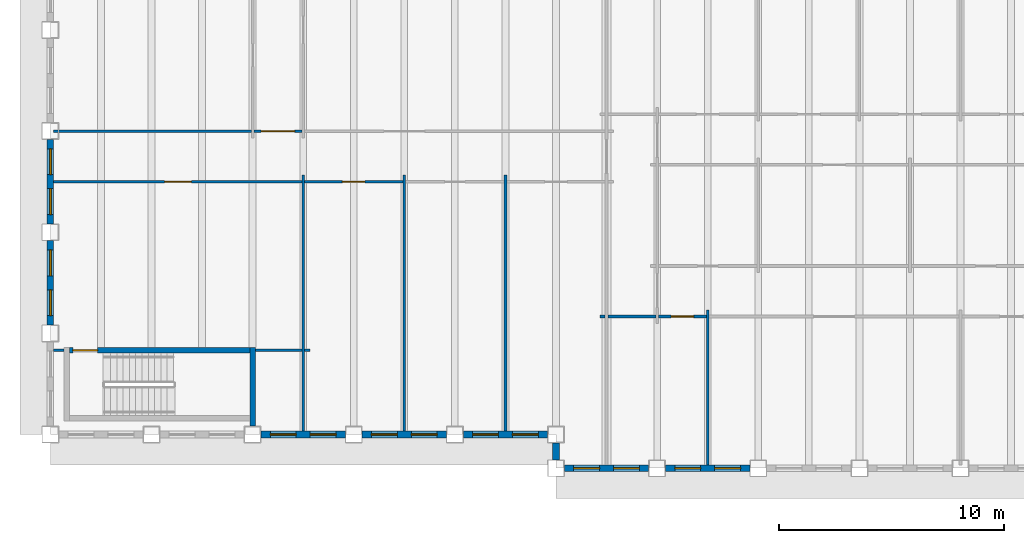
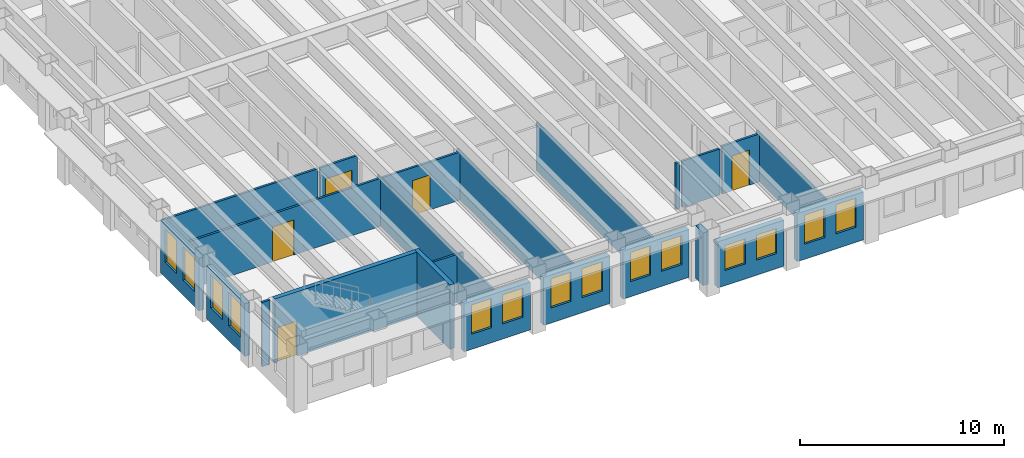
# One storey, part 3 of 16: 24 walls, 14 windows, 5 doors, 19 openings.
"""IFC4 building model written with IfcOpenShell, lengths in metres."""

from ifc_helpers import new_model, si_unit, direction, frame, frame_2d, origin, place, context, subcontext, project, spatial, rectangle, extrude, material, layer, layer_set, type_object, element, fill, save


model = new_model("IFC4")

# Units and contexts
model_context = context("Model", 3, precision=1e-05, world=origin(), true_north=direction((0.0, 1.0)))
body_context = subcontext(model_context, "Body", "Model", "MODEL_VIEW")
ifc_project = project(units=[si_unit("LENGTHUNIT", "METRE"), si_unit("AREAUNIT", "SQUARE_METRE"), si_unit("VOLUMEUNIT", "CUBIC_METRE"), si_unit("PLANEANGLEUNIT", "RADIAN"), si_unit("MASSUNIT", "GRAM", prefix="KILO")], contexts=[model_context])

# Site, building, storey
site_placement = place(None, origin())
site = spatial("IfcSite", under=ifc_project, at=site_placement, CompositionType="ELEMENT")
building_placement = place(site_placement, origin())
building = spatial("IfcBuilding", under=site, at=building_placement, Name="Sennacour Bend Tower", CompositionType="ELEMENT")
storey_placement = place(building_placement, frame((0.0, 0.0, 235.0)))
storey = spatial("IfcBuildingStorey", under=building, at=storey_placement, Name="L54", CompositionType="ELEMENT", Elevation=235.0)

# Walls
ifc_material_1 = material(Name="Plasterboard partition on steel studs", Category="steel")
ifc_layer_1 = layer(ifc_material_1, 0.1201171875, Name="Plasterboard partition on steel studs", Category="steel")
ifc_layer_set_1 = layer_set([ifc_layer_1], Name="Plasterboard partition on steel studs")
wall_type_1 = type_object("IfcWallType", Name="Partition 120", PredefinedType="PARTITIONING", material=ifc_layer_set_1)
for number, where, z_axis, x_axis, name in (
    (1, (11.25, 0.14990234375, 0.0), (0.0, 0.0, 1.0), (0.0, 1.0, 0.0), "P-L54-W012a"),
    (2, (15.75, 0.14990234375, 0.0), (0.0, 0.0, 1.0), (0.0, 1.0, 0.0), "P-L54-W017a"),
    (3, (20.25, 0.14990234375, 0.0), (0.0, 0.0, 1.0), (0.0, 1.0, 0.0), "P-L54-W021a"),
):
    element("IfcWall", number, at=place(storey_placement, frame(where, z_axis=z_axis, x_axis=x_axis)), inside=storey, type_object=wall_type_1, Name=name, PredefinedType="PARTITIONING", context=body_context, shape_type="SweptSolid", body=[
        extrude(rectangle(XDim=11.400146484375, YDim=0.1201171875, at=frame_2d((5.7001953125, 0.0))), origin(), (0.0, 0.0, 1.0), 2.8701171875),
    ])
wall_1_placement = place(storey_placement, frame((29.25, -1.35009765625, 0.0), z_axis=(0.0, 0.0, 1.0), x_axis=(0.0, 1.0, 0.0)))
element("IfcWall", 4, at=wall_1_placement, inside=storey, type_object=wall_type_1, Name="P-L54-W025a", PredefinedType="PARTITIONING", context=body_context, shape_type="SweptSolid", body=[
    extrude(rectangle(XDim=6.900146484375, YDim=0.1201171875, at=frame_2d((3.4501953125, 0.0))), origin(), (0.0, 0.0, 1.0), 2.8701171875),
])
wall_2_placement = place(storey_placement, frame((0.14990234375, 3.75, 0.0), z_axis=(0.0, 0.0, 1.0), x_axis=(1.0, 0.0, 0.0)))
element("IfcWall", 5, at=wall_2_placement, inside=storey, type_object=wall_type_1, Name="P-L54-W051a", PredefinedType="PARTITIONING", context=body_context, shape_type="SweptSolid", body=[
    extrude(rectangle(XDim=0.4501953125, YDim=0.1201171875, at=frame_2d((0.22509765625, 0.0))), origin(), (0.0, 0.0, 1.0), 3.85009765625),
])
wall_3_placement = place(storey_placement, frame((9.125, 3.75, 0.0), z_axis=(0.0, 0.0, 1.0), x_axis=(1.0, 0.0, 0.0)))
element("IfcWall", 6, at=wall_3_placement, inside=storey, type_object=wall_type_1, Name="P-L54-W053aa", PredefinedType="PARTITIONING", context=body_context, shape_type="SweptSolid", body=[
    extrude(rectangle(XDim=2.06494140625, YDim=0.1201171875, at=frame_2d((1.032470703125, 0.0))), origin(), (0.0, 0.0, 1.0), 2.8701171875),
])
wall_4_placement = place(storey_placement, frame((11.31005859375, 3.75, 0.0), z_axis=(0.0, 0.0, 1.0), x_axis=(1.0, 0.0, 0.0)))
element("IfcWall", 7, at=wall_4_placement, inside=storey, type_object=wall_type_1, Name="P-L54-W053ab", PredefinedType="PARTITIONING", context=body_context, shape_type="SweptSolid", body=[
    extrude(rectangle(XDim=0.239990234375, YDim=0.1201171875, at=frame_2d((0.1201171875, 0.0))), origin(), (0.0, 0.0, 1.0), 2.8701171875),
])
wall_5_placement = place(storey_placement, frame((24.449951171875, 5.25, 0.0), z_axis=(0.0, 0.0, 1.0), x_axis=(1.0, 0.0, 0.0)))
element("IfcWall", 8, at=wall_5_placement, inside=storey, type_object=wall_type_1, Name="P-L54-W056aa", PredefinedType="PARTITIONING", context=body_context, shape_type="SweptSolid", body=[
    extrude(rectangle(XDim=0.239990234375, YDim=0.1201171875, at=frame_2d((0.1201171875, 0.0))), origin(), (0.0, 0.0, 1.0), 2.760009765625),
])
wall_6_placement = place(storey_placement, frame((24.81005859375, 5.25, 0.0), z_axis=(0.0, 0.0, 1.0), x_axis=(1.0, 0.0, 0.0)))
element("IfcWall", 9, at=wall_6_placement, inside=storey, type_object=wall_type_1, Name="P-L54-W056ab", PredefinedType="PARTITIONING", context=body_context, shape_type="SweptSolid", body=[
    extrude(rectangle(XDim=2.1298828125, YDim=0.1201171875, at=frame_2d((1.06494140625, 0.0))), origin(), (0.0, 0.0, 1.0), 2.760009765625),
])

# Wall, opening, door
wall_7_placement = place(storey_placement, frame((27.06005859375, 5.25, 0.0), z_axis=(0.0, 0.0, 1.0), x_axis=(1.0, 0.0, 0.0)))
wall_7 = element("IfcWall", 10, at=wall_7_placement, inside=storey, type_object=wall_type_1, Name="P-L54-W056ac", PredefinedType="PARTITIONING", context=body_context, shape_type="SweptSolid", body=[
    extrude(rectangle(XDim=2.1298828125, YDim=0.1201171875, at=frame_2d((1.06494140625, 0.0))), origin(), (0.0, 0.0, 1.0), 2.8701171875),
])
opening_1_placement = place(wall_7_placement, frame((0.56494140625, 0.0, 0.0)))
opening_1 = element("IfcOpeningElement", 11, at=opening_1_placement, cuts=wall_7, Name="Opening OD2", PredefinedType="OPENING", context=body_context, shape_type="SweptSolid", body=[
    extrude(rectangle(XDim=1.0, YDim=2.10009765625, at=frame_2d((0.5, 1.050048828125))), frame((0.0, 0.070068359375, 0.0), z_axis=(0.0, -1.0, 0.0), x_axis=(1.0, 0.0, 0.0)), (0.0, 0.0, 1.0), 0.14013671875),
])
ifc_material_2 = material(Name="Timber", Category="wood")
door_type_1 = type_object("IfcDoorType", Name="DR-OFFICE-1000", OperationType="NOTDEFINED", PredefinedType="DOOR", material=ifc_material_2)
door_1_placement = place(opening_1_placement, origin())
door_1 = element("IfcDoor", 12, at=door_1_placement, inside=storey, type_object=door_type_1, Name="Door", OperationType="SINGLE_SWING_LEFT", OverallHeight=2.10009765625, OverallWidth=1.0, PredefinedType="DOOR", context=body_context, shape_type="SweptSolid", body=[
    extrude(rectangle(XDim=1.0, YDim=2.10009765625, at=frame_2d((0.5, 1.050048828125))), frame((0.0, 0.02490234375, 0.0), z_axis=(0.0, -1.0, 0.0), x_axis=(1.0, 0.0, 0.0)), (0.0, 0.0, 1.0), 0.050048828125),
])
fill(opening_1, door_1)

wall_8_placement = place(storey_placement, frame((11.31005859375, 11.25, 0.0), z_axis=(0.0, 0.0, 1.0), x_axis=(1.0, 0.0, 0.0)))
wall_8 = element("IfcWall", 13, at=wall_8_placement, inside=storey, type_object=wall_type_1, Name="P-L54-W062ab", PredefinedType="PARTITIONING", context=body_context, shape_type="SweptSolid", body=[
    extrude(rectangle(XDim=4.3798828125, YDim=0.1201171875, at=frame_2d((2.18994140625, 0.0))), origin(), (0.0, 0.0, 1.0), 2.8701171875),
])
opening_2_placement = place(wall_8_placement, frame((1.68994140625, 0.0, 0.0)))
opening_2 = element("IfcOpeningElement", 14, at=opening_2_placement, cuts=wall_8, Name="Opening OD2", PredefinedType="OPENING", context=body_context, shape_type="SweptSolid", body=[
    extrude(rectangle(XDim=1.0, YDim=2.10009765625, at=frame_2d((0.5, 1.050048828125))), frame((0.0, 0.070068359375, 0.0), z_axis=(0.0, -1.0, 0.0), x_axis=(1.0, 0.0, 0.0)), (0.0, 0.0, 1.0), 0.14013671875),
])
door_2_placement = place(opening_2_placement, origin())
door_2 = element("IfcDoor", 15, at=door_2_placement, inside=storey, type_object=door_type_1, Name="Door", OperationType="SINGLE_SWING_LEFT", OverallHeight=2.10009765625, OverallWidth=1.0, PredefinedType="DOOR", context=body_context, shape_type="SweptSolid", body=[
    extrude(rectangle(XDim=1.0, YDim=2.10009765625, at=frame_2d((0.5, 1.050048828125))), frame((0.0, 0.02490234375, 0.0), z_axis=(0.0, -1.0, 0.0), x_axis=(1.0, 0.0, 0.0)), (0.0, 0.0, 1.0), 0.050048828125),
])
fill(opening_2, door_2)

# Wall
wall_9_placement = place(storey_placement, frame((0.14990234375, 13.5, 0.0), z_axis=(0.0, 0.0, 1.0), x_axis=(1.0, 0.0, 0.0)))
element("IfcWall", 16, at=wall_9_placement, inside=storey, type_object=wall_type_1, Name="P-L54-W065aa", PredefinedType="PARTITIONING", context=body_context, shape_type="SweptSolid", body=[
    extrude(rectangle(XDim=8.7900390625, YDim=0.1201171875, at=frame_2d((4.39501953125, 0.0))), origin(), (0.0, 0.0, 1.0), 2.8701171875),
])

# Wall, opening, door
ifc_layer_2 = layer(ifc_material_1, 0.1201171875, Name="Plasterboard partition on steel studs", Category="steel")
ifc_layer_set_2 = layer_set([ifc_layer_2], Name="Plasterboard partition on steel studs")
wall_type_2 = type_object("IfcWallType", Name="Partition 120 EI 30", PredefinedType="PARTITIONING", material=ifc_layer_set_2)
wall_10_placement = place(storey_placement, frame((0.14990234375, 11.25, 0.0), z_axis=(0.0, 0.0, 1.0), x_axis=(1.0, 0.0, 0.0)))
wall_10 = element("IfcWall", 17, at=wall_10_placement, inside=storey, type_object=wall_type_2, Name="P-L54-W062aa", PredefinedType="PARTITIONING", context=body_context, shape_type="SweptSolid", body=[
    extrude(rectangle(XDim=11.0400390625, YDim=0.1201171875, at=frame_2d((5.52001953125, 0.0))), origin(), (0.0, 0.0, 1.0), 2.8701171875),
])
opening_3_placement = place(wall_10_placement, frame((4.93017578125, 0.0, 0.0)))
opening_3 = element("IfcOpeningElement", 18, at=opening_3_placement, cuts=wall_10, Name="Opening KD2", PredefinedType="OPENING", context=body_context, shape_type="SweptSolid", body=[
    extrude(rectangle(XDim=1.199951171875, YDim=2.10009765625, at=frame_2d((0.60009765625, 1.050048828125))), frame((0.0, 0.070068359375, 0.0), z_axis=(0.0, -1.0, 0.0), x_axis=(1.0, 0.0, 0.0)), (0.0, 0.0, 1.0), 0.14013671875),
])
ifc_material_3 = material(Name="Painted steel", Category="steel")
door_type_2 = type_object("IfcDoorType", Name="DR-CORRIDOR-1200", OperationType="NOTDEFINED", PredefinedType="DOOR", material=ifc_material_3)
door_3_placement = place(opening_3_placement, origin())
door_3 = element("IfcDoor", 19, at=door_3_placement, inside=storey, type_object=door_type_2, Name="Door", OperationType="SINGLE_SWING_LEFT", OverallHeight=2.10009765625, OverallWidth=1.199951171875, PredefinedType="DOOR", context=body_context, shape_type="SweptSolid", body=[
    extrude(rectangle(XDim=1.199951171875, YDim=2.10009765625, at=frame_2d((0.60009765625, 1.050048828125))), frame((0.0, 0.02490234375, 0.0), z_axis=(0.0, -1.0, 0.0), x_axis=(1.0, 0.0, 0.0)), (0.0, 0.0, 1.0), 0.050048828125),
])
fill(opening_3, door_3)

wall_11_placement = place(storey_placement, frame((9.06005859375, 13.5, 0.0), z_axis=(0.0, 0.0, 1.0), x_axis=(1.0, 0.0, 0.0)))
wall_11 = element("IfcWall", 20, at=wall_11_placement, inside=storey, type_object=wall_type_2, Name="P-L54-W065ab", PredefinedType="PARTITIONING", context=body_context, shape_type="SweptSolid", body=[
    extrude(rectangle(XDim=2.1298828125, YDim=0.1201171875, at=frame_2d((1.06494140625, 0.0))), origin(), (0.0, 0.0, 1.0), 2.8701171875),
])
opening_4_placement = place(wall_11_placement, frame((0.31494140625, 0.0, 0.0)))
opening_4 = element("IfcOpeningElement", 21, at=opening_4_placement, cuts=wall_11, Name="Opening KD", PredefinedType="OPENING", context=body_context, shape_type="SweptSolid", body=[
    extrude(rectangle(XDim=1.5, YDim=2.10009765625, at=frame_2d((0.75, 1.050048828125))), frame((0.0, 0.070068359375, 0.0), z_axis=(0.0, -1.0, 0.0), x_axis=(1.0, 0.0, 0.0)), (0.0, 0.0, 1.0), 0.14013671875),
])
door_type_3 = type_object("IfcDoorType", Name="DR-CORRIDOR-1500", OperationType="NOTDEFINED", PredefinedType="DOOR", material=ifc_material_3)
door_4_placement = place(opening_4_placement, origin())
door_4 = element("IfcDoor", 22, at=door_4_placement, inside=storey, type_object=door_type_3, Name="Door", OperationType="SINGLE_SWING_LEFT", OverallHeight=2.10009765625, OverallWidth=1.5, PredefinedType="DOOR", context=body_context, shape_type="SweptSolid", body=[
    extrude(rectangle(XDim=1.5, YDim=2.10009765625, at=frame_2d((0.75, 1.050048828125))), frame((0.0, 0.02490234375, 0.0), z_axis=(0.0, -1.0, 0.0), x_axis=(1.0, 0.0, 0.0)), (0.0, 0.0, 1.0), 0.050048828125),
])
fill(opening_4, door_4)

# Wall, openings, windows
ifc_material_4 = material(Name="Warm limestone cladding", Category="masonry")
ifc_layer_3 = layer(ifc_material_4, 0.050048828125, Name="Warm limestone cladding", Category="masonry")
ifc_material_5 = material(Name="Precast concrete C40/50", Category="concrete")
ifc_layer_4 = layer(ifc_material_5, 0.25, Name="Precast concrete C40/50", Category="concrete")
ifc_layer_set_3 = layer_set([ifc_layer_3, ifc_layer_4], Name="Precast concrete C40/50 with limestone cladding")
wall_type_3 = type_object("IfcWallType", Name="STONE-CLAD PRECAST SPANDREL 300", PredefinedType="STANDARD", material=ifc_layer_set_3)
wall_12_placement = place(storey_placement, frame((22.875, -1.5, 0.0), z_axis=(0.0, 0.0, 1.0), x_axis=(1.0, 0.0, 0.0)))
wall_12 = element("IfcWall", 23, at=wall_12_placement, inside=storey, type_object=wall_type_3, Name="Stone spandrel and pier wall L54 00.00", PredefinedType="STANDARD", context=body_context, shape_type="SweptSolid", body=[
    extrude(rectangle(XDim=3.75, YDim=0.300048828125, at=frame_2d((1.875, 0.0))), origin(), (0.0, 0.0, 1.0), 2.760009765625),
])
opening_5_placement = place(wall_12_placement, frame((0.41259765625, 0.0, 0.89990234375)))
opening_5 = element("IfcOpeningElement", 24, at=opening_5_placement, cuts=wall_12, Name="Opening W22", PredefinedType="OPENING", context=body_context, shape_type="SweptSolid", body=[
    extrude(rectangle(XDim=1.14990234375, YDim=1.5, at=frame_2d((0.574951171875, 0.75))), frame((0.0, 0.16015625, 0.0), z_axis=(0.0, -1.0, 0.0), x_axis=(1.0, 0.0, 0.0)), (0.0, 0.0, 1.0), 0.320068359375),
])
opening_6_placement = place(wall_12_placement, frame((2.1875, 0.0, 0.89990234375)))
opening_6 = element("IfcOpeningElement", 25, at=opening_6_placement, cuts=wall_12, Name="Opening W22", PredefinedType="OPENING", context=body_context, shape_type="SweptSolid", body=[
    extrude(rectangle(XDim=1.14990234375, YDim=1.5, at=frame_2d((0.574951171875, 0.75))), frame((0.0, 0.16015625, 0.0), z_axis=(0.0, -1.0, 0.0), x_axis=(1.0, 0.0, 0.0)), (0.0, 0.0, 1.0), 0.320068359375),
])
ifc_material_6 = material(Name="Clear low-emissivity glass", Category="glass")
window_type_1 = type_object("IfcWindowType", Name="WIN-RIBBON-1150x1500", PartitioningType="SINGLE_PANEL", PredefinedType="WINDOW", material=ifc_material_6)
window_1_placement = place(opening_5_placement, origin())
window_1 = element("IfcWindow", 26, at=window_1_placement, inside=storey, type_object=window_type_1, Name="Ribbon window L54 00.00.0", OverallHeight=1.5, OverallWidth=1.14990234375, PartitioningType="SINGLE_PANEL", PredefinedType="WINDOW", context=body_context, shape_type="SweptSolid", body=[
    extrude(rectangle(XDim=1.14990234375, YDim=1.5, at=frame_2d((0.574951171875, 0.75))), frame((0.0, 0.030029296875, 0.0), z_axis=(0.0, -1.0, 0.0), x_axis=(1.0, 0.0, 0.0)), (0.0, 0.0, 1.0), 0.06005859375),
])
fill(opening_5, window_1)
window_2_placement = place(opening_6_placement, origin())
window_2 = element("IfcWindow", 27, at=window_2_placement, inside=storey, type_object=window_type_1, Name="Ribbon window L54 00.00.1", OverallHeight=1.5, OverallWidth=1.14990234375, PartitioningType="SINGLE_PANEL", PredefinedType="WINDOW", context=body_context, shape_type="SweptSolid", body=[
    extrude(rectangle(XDim=1.14990234375, YDim=1.5, at=frame_2d((0.574951171875, 0.75))), frame((0.0, 0.030029296875, 0.0), z_axis=(0.0, -1.0, 0.0), x_axis=(1.0, 0.0, 0.0)), (0.0, 0.0, 1.0), 0.06005859375),
])
fill(opening_6, window_2)

wall_13_placement = place(storey_placement, frame((27.375, -1.5, 0.0), z_axis=(0.0, 0.0, 1.0), x_axis=(1.0, 0.0, 0.0)))
wall_13 = element("IfcWall", 28, at=wall_13_placement, inside=storey, type_object=wall_type_3, Name="Stone spandrel and pier wall L54 00.01", PredefinedType="STANDARD", context=body_context, shape_type="SweptSolid", body=[
    extrude(rectangle(XDim=3.75, YDim=0.300048828125, at=frame_2d((1.875, 0.0))), origin(), (0.0, 0.0, 1.0), 2.8701171875),
])
opening_7_placement = place(wall_13_placement, frame((0.41259765625, 0.0, 0.89990234375)))
opening_7 = element("IfcOpeningElement", 29, at=opening_7_placement, cuts=wall_13, Name="Opening W23", PredefinedType="OPENING", context=body_context, shape_type="SweptSolid", body=[
    extrude(rectangle(XDim=1.14990234375, YDim=1.75, at=frame_2d((0.574951171875, 0.875))), frame((0.0, 0.16015625, 0.0), z_axis=(0.0, -1.0, 0.0), x_axis=(1.0, 0.0, 0.0)), (0.0, 0.0, 1.0), 0.320068359375),
])
opening_8_placement = place(wall_13_placement, frame((2.1875, 0.0, 0.89990234375)))
opening_8 = element("IfcOpeningElement", 30, at=opening_8_placement, cuts=wall_13, Name="Opening W23", PredefinedType="OPENING", context=body_context, shape_type="SweptSolid", body=[
    extrude(rectangle(XDim=1.14990234375, YDim=1.75, at=frame_2d((0.574951171875, 0.875))), frame((0.0, 0.16015625, 0.0), z_axis=(0.0, -1.0, 0.0), x_axis=(1.0, 0.0, 0.0)), (0.0, 0.0, 1.0), 0.320068359375),
])
window_type_2 = type_object("IfcWindowType", Name="WIN-RIBBON-1150x1750", PartitioningType="SINGLE_PANEL", PredefinedType="WINDOW", material=ifc_material_6)
window_3_placement = place(opening_7_placement, origin())
window_3 = element("IfcWindow", 31, at=window_3_placement, inside=storey, type_object=window_type_2, Name="Ribbon window L54 00.01.0", OverallHeight=1.75, OverallWidth=1.14990234375, PartitioningType="SINGLE_PANEL", PredefinedType="WINDOW", context=body_context, shape_type="SweptSolid", body=[
    extrude(rectangle(XDim=1.14990234375, YDim=1.75, at=frame_2d((0.574951171875, 0.875))), frame((0.0, 0.030029296875, 0.0), z_axis=(0.0, -1.0, 0.0), x_axis=(1.0, 0.0, 0.0)), (0.0, 0.0, 1.0), 0.06005859375),
])
fill(opening_7, window_3)
window_4_placement = place(opening_8_placement, origin())
window_4 = element("IfcWindow", 32, at=window_4_placement, inside=storey, type_object=window_type_2, Name="Ribbon window L54 00.01.1", OverallHeight=1.75, OverallWidth=1.14990234375, PartitioningType="SINGLE_PANEL", PredefinedType="WINDOW", context=body_context, shape_type="SweptSolid", body=[
    extrude(rectangle(XDim=1.14990234375, YDim=1.75, at=frame_2d((0.574951171875, 0.875))), frame((0.0, 0.030029296875, 0.0), z_axis=(0.0, -1.0, 0.0), x_axis=(1.0, 0.0, 0.0)), (0.0, 0.0, 1.0), 0.06005859375),
])
fill(opening_8, window_4)

wall_14_placement = place(storey_placement, frame((0.0, 13.125, 0.0), z_axis=(0.0, 0.0, 1.0), x_axis=(0.0, -1.0, 0.0)))
wall_14 = element("IfcWall", 33, at=wall_14_placement, inside=storey, type_object=wall_type_3, Name="Stone spandrel and pier wall L54 21.02", PredefinedType="STANDARD", context=body_context, shape_type="SweptSolid", body=[
    extrude(rectangle(XDim=3.75, YDim=0.300048828125, at=frame_2d((1.875, 0.0))), origin(), (0.0, 0.0, 1.0), 3.156982421875),
])
opening_9_placement = place(wall_14_placement, frame((0.41259765625, 0.0, 0.89990234375)))
opening_9 = element("IfcOpeningElement", 34, at=opening_9_placement, cuts=wall_14, Name="Opening W24", PredefinedType="OPENING", context=body_context, shape_type="SweptSolid", body=[
    extrude(rectangle(XDim=1.14990234375, YDim=2.0, at=frame_2d((0.574951171875, 1.0))), frame((0.0, 0.16015625, 0.0), z_axis=(0.0, -1.0, 0.0), x_axis=(1.0, 0.0, 0.0)), (0.0, 0.0, 1.0), 0.320068359375),
])
opening_10_placement = place(wall_14_placement, frame((2.1875, 0.0, 0.89990234375)))
opening_10 = element("IfcOpeningElement", 35, at=opening_10_placement, cuts=wall_14, Name="Opening W24", PredefinedType="OPENING", context=body_context, shape_type="SweptSolid", body=[
    extrude(rectangle(XDim=1.14990234375, YDim=2.0, at=frame_2d((0.574951171875, 1.0))), frame((0.0, 0.16015625, 0.0), z_axis=(0.0, -1.0, 0.0), x_axis=(1.0, 0.0, 0.0)), (0.0, 0.0, 1.0), 0.320068359375),
])
window_type_3 = type_object("IfcWindowType", Name="WIN-RIBBON-1150x2000", PartitioningType="SINGLE_PANEL", PredefinedType="WINDOW", material=ifc_material_6)
window_5_placement = place(opening_9_placement, origin())
window_5 = element("IfcWindow", 36, at=window_5_placement, inside=storey, type_object=window_type_3, Name="Ribbon window L54 21.02.0", OverallHeight=2.0, OverallWidth=1.14990234375, PartitioningType="SINGLE_PANEL", PredefinedType="WINDOW", context=body_context, shape_type="SweptSolid", body=[
    extrude(rectangle(XDim=1.14990234375, YDim=2.0, at=frame_2d((0.574951171875, 1.0))), frame((0.0, 0.030029296875, 0.0), z_axis=(0.0, -1.0, 0.0), x_axis=(1.0, 0.0, 0.0)), (0.0, 0.0, 1.0), 0.06005859375),
])
fill(opening_9, window_5)
window_6_placement = place(opening_10_placement, origin())
window_6 = element("IfcWindow", 37, at=window_6_placement, inside=storey, type_object=window_type_3, Name="Ribbon window L54 21.02.1", OverallHeight=2.0, OverallWidth=1.14990234375, PartitioningType="SINGLE_PANEL", PredefinedType="WINDOW", context=body_context, shape_type="SweptSolid", body=[
    extrude(rectangle(XDim=1.14990234375, YDim=2.0, at=frame_2d((0.574951171875, 1.0))), frame((0.0, 0.030029296875, 0.0), z_axis=(0.0, -1.0, 0.0), x_axis=(1.0, 0.0, 0.0)), (0.0, 0.0, 1.0), 0.06005859375),
])
fill(opening_10, window_6)

wall_15_placement = place(storey_placement, frame((0.0, 8.625, 0.0), z_axis=(0.0, 0.0, 1.0), x_axis=(0.0, -1.0, 0.0)))
wall_15 = element("IfcWall", 38, at=wall_15_placement, inside=storey, type_object=wall_type_3, Name="Stone spandrel and pier wall L54 21.03", PredefinedType="STANDARD", context=body_context, shape_type="SweptSolid", body=[
    extrude(rectangle(XDim=3.75, YDim=0.300048828125, at=frame_2d((1.875, 0.0))), origin(), (0.0, 0.0, 1.0), 3.156982421875),
])
opening_11_placement = place(wall_15_placement, frame((0.41259765625, 0.0, 0.89990234375)))
opening_11 = element("IfcOpeningElement", 39, at=opening_11_placement, cuts=wall_15, Name="Opening W24", PredefinedType="OPENING", context=body_context, shape_type="SweptSolid", body=[
    extrude(rectangle(XDim=1.14990234375, YDim=2.0, at=frame_2d((0.574951171875, 1.0))), frame((0.0, 0.16015625, 0.0), z_axis=(0.0, -1.0, 0.0), x_axis=(1.0, 0.0, 0.0)), (0.0, 0.0, 1.0), 0.320068359375),
])
opening_12_placement = place(wall_15_placement, frame((2.1875, 0.0, 0.89990234375)))
opening_12 = element("IfcOpeningElement", 40, at=opening_12_placement, cuts=wall_15, Name="Opening W24", PredefinedType="OPENING", context=body_context, shape_type="SweptSolid", body=[
    extrude(rectangle(XDim=1.14990234375, YDim=2.0, at=frame_2d((0.574951171875, 1.0))), frame((0.0, 0.16015625, 0.0), z_axis=(0.0, -1.0, 0.0), x_axis=(1.0, 0.0, 0.0)), (0.0, 0.0, 1.0), 0.320068359375),
])
window_7_placement = place(opening_11_placement, origin())
window_7 = element("IfcWindow", 41, at=window_7_placement, inside=storey, type_object=window_type_3, Name="Ribbon window L54 21.03.0", OverallHeight=2.0, OverallWidth=1.14990234375, PartitioningType="SINGLE_PANEL", PredefinedType="WINDOW", context=body_context, shape_type="SweptSolid", body=[
    extrude(rectangle(XDim=1.14990234375, YDim=2.0, at=frame_2d((0.574951171875, 1.0))), frame((0.0, 0.030029296875, 0.0), z_axis=(0.0, -1.0, 0.0), x_axis=(1.0, 0.0, 0.0)), (0.0, 0.0, 1.0), 0.06005859375),
])
fill(opening_11, window_7)
window_8_placement = place(opening_12_placement, origin())
window_8 = element("IfcWindow", 42, at=window_8_placement, inside=storey, type_object=window_type_3, Name="Ribbon window L54 21.03.1", OverallHeight=2.0, OverallWidth=1.14990234375, PartitioningType="SINGLE_PANEL", PredefinedType="WINDOW", context=body_context, shape_type="SweptSolid", body=[
    extrude(rectangle(XDim=1.14990234375, YDim=2.0, at=frame_2d((0.574951171875, 1.0))), frame((0.0, 0.030029296875, 0.0), z_axis=(0.0, -1.0, 0.0), x_axis=(1.0, 0.0, 0.0)), (0.0, 0.0, 1.0), 0.06005859375),
])
fill(opening_12, window_8)

wall_16_placement = place(storey_placement, frame((9.375, 0.0, 0.0), z_axis=(0.0, 0.0, 1.0), x_axis=(1.0, 0.0, 0.0)))
wall_16 = element("IfcWall", 43, at=wall_16_placement, inside=storey, type_object=wall_type_3, Name="Stone spandrel and pier wall L54 22.02", PredefinedType="STANDARD", context=body_context, shape_type="SweptSolid", body=[
    extrude(rectangle(XDim=3.75, YDim=0.300048828125, at=frame_2d((1.875, 0.0))), origin(), (0.0, 0.0, 1.0), 2.8701171875),
])
opening_13_placement = place(wall_16_placement, frame((0.41259765625, 0.0, 0.89990234375)))
opening_13 = element("IfcOpeningElement", 44, at=opening_13_placement, cuts=wall_16, Name="Opening W23", PredefinedType="OPENING", context=body_context, shape_type="SweptSolid", body=[
    extrude(rectangle(XDim=1.14990234375, YDim=1.75, at=frame_2d((0.574951171875, 0.875))), frame((0.0, 0.16015625, 0.0), z_axis=(0.0, -1.0, 0.0), x_axis=(1.0, 0.0, 0.0)), (0.0, 0.0, 1.0), 0.320068359375),
])
opening_14_placement = place(wall_16_placement, frame((2.1875, 0.0, 0.89990234375)))
opening_14 = element("IfcOpeningElement", 45, at=opening_14_placement, cuts=wall_16, Name="Opening W23", PredefinedType="OPENING", context=body_context, shape_type="SweptSolid", body=[
    extrude(rectangle(XDim=1.14990234375, YDim=1.75, at=frame_2d((0.574951171875, 0.875))), frame((0.0, 0.16015625, 0.0), z_axis=(0.0, -1.0, 0.0), x_axis=(1.0, 0.0, 0.0)), (0.0, 0.0, 1.0), 0.320068359375),
])
window_9_placement = place(opening_13_placement, origin())
window_9 = element("IfcWindow", 46, at=window_9_placement, inside=storey, type_object=window_type_2, Name="Ribbon window L54 22.02.0", OverallHeight=1.75, OverallWidth=1.14990234375, PartitioningType="SINGLE_PANEL", PredefinedType="WINDOW", context=body_context, shape_type="SweptSolid", body=[
    extrude(rectangle(XDim=1.14990234375, YDim=1.75, at=frame_2d((0.574951171875, 0.875))), frame((0.0, 0.030029296875, 0.0), z_axis=(0.0, -1.0, 0.0), x_axis=(1.0, 0.0, 0.0)), (0.0, 0.0, 1.0), 0.06005859375),
])
fill(opening_13, window_9)
window_10_placement = place(opening_14_placement, origin())
window_10 = element("IfcWindow", 47, at=window_10_placement, inside=storey, type_object=window_type_2, Name="Ribbon window L54 22.02.1", OverallHeight=1.75, OverallWidth=1.14990234375, PartitioningType="SINGLE_PANEL", PredefinedType="WINDOW", context=body_context, shape_type="SweptSolid", body=[
    extrude(rectangle(XDim=1.14990234375, YDim=1.75, at=frame_2d((0.574951171875, 0.875))), frame((0.0, 0.030029296875, 0.0), z_axis=(0.0, -1.0, 0.0), x_axis=(1.0, 0.0, 0.0)), (0.0, 0.0, 1.0), 0.06005859375),
])
fill(opening_14, window_10)

wall_17_placement = place(storey_placement, frame((13.875, 0.0, 0.0), z_axis=(0.0, 0.0, 1.0), x_axis=(1.0, 0.0, 0.0)))
wall_17 = element("IfcWall", 48, at=wall_17_placement, inside=storey, type_object=wall_type_3, Name="Stone spandrel and pier wall L54 22.03", PredefinedType="STANDARD", context=body_context, shape_type="SweptSolid", body=[
    extrude(rectangle(XDim=3.75, YDim=0.300048828125, at=frame_2d((1.875, 0.0))), origin(), (0.0, 0.0, 1.0), 2.8701171875),
])
opening_15_placement = place(wall_17_placement, frame((0.41259765625, 0.0, 0.89990234375)))
opening_15 = element("IfcOpeningElement", 49, at=opening_15_placement, cuts=wall_17, Name="Opening W23", PredefinedType="OPENING", context=body_context, shape_type="SweptSolid", body=[
    extrude(rectangle(XDim=1.14990234375, YDim=1.75, at=frame_2d((0.574951171875, 0.875))), frame((0.0, 0.16015625, 0.0), z_axis=(0.0, -1.0, 0.0), x_axis=(1.0, 0.0, 0.0)), (0.0, 0.0, 1.0), 0.320068359375),
])
opening_16_placement = place(wall_17_placement, frame((2.1875, 0.0, 0.89990234375)))
opening_16 = element("IfcOpeningElement", 50, at=opening_16_placement, cuts=wall_17, Name="Opening W23", PredefinedType="OPENING", context=body_context, shape_type="SweptSolid", body=[
    extrude(rectangle(XDim=1.14990234375, YDim=1.75, at=frame_2d((0.574951171875, 0.875))), frame((0.0, 0.16015625, 0.0), z_axis=(0.0, -1.0, 0.0), x_axis=(1.0, 0.0, 0.0)), (0.0, 0.0, 1.0), 0.320068359375),
])
window_11_placement = place(opening_15_placement, origin())
window_11 = element("IfcWindow", 51, at=window_11_placement, inside=storey, type_object=window_type_2, Name="Ribbon window L54 22.03.0", OverallHeight=1.75, OverallWidth=1.14990234375, PartitioningType="SINGLE_PANEL", PredefinedType="WINDOW", context=body_context, shape_type="SweptSolid", body=[
    extrude(rectangle(XDim=1.14990234375, YDim=1.75, at=frame_2d((0.574951171875, 0.875))), frame((0.0, 0.030029296875, 0.0), z_axis=(0.0, -1.0, 0.0), x_axis=(1.0, 0.0, 0.0)), (0.0, 0.0, 1.0), 0.06005859375),
])
fill(opening_15, window_11)
window_12_placement = place(opening_16_placement, origin())
window_12 = element("IfcWindow", 52, at=window_12_placement, inside=storey, type_object=window_type_2, Name="Ribbon window L54 22.03.1", OverallHeight=1.75, OverallWidth=1.14990234375, PartitioningType="SINGLE_PANEL", PredefinedType="WINDOW", context=body_context, shape_type="SweptSolid", body=[
    extrude(rectangle(XDim=1.14990234375, YDim=1.75, at=frame_2d((0.574951171875, 0.875))), frame((0.0, 0.030029296875, 0.0), z_axis=(0.0, -1.0, 0.0), x_axis=(1.0, 0.0, 0.0)), (0.0, 0.0, 1.0), 0.06005859375),
])
fill(opening_16, window_12)

wall_18_placement = place(storey_placement, frame((18.375, 0.0, 0.0), z_axis=(0.0, 0.0, 1.0), x_axis=(1.0, 0.0, 0.0)))
wall_18 = element("IfcWall", 53, at=wall_18_placement, inside=storey, type_object=wall_type_3, Name="Stone spandrel and pier wall L54 22.04", PredefinedType="STANDARD", context=body_context, shape_type="SweptSolid", body=[
    extrude(rectangle(XDim=3.75, YDim=0.300048828125, at=frame_2d((1.875, 0.0))), origin(), (0.0, 0.0, 1.0), 2.8701171875),
])
opening_17_placement = place(wall_18_placement, frame((0.41259765625, 0.0, 0.89990234375)))
opening_17 = element("IfcOpeningElement", 54, at=opening_17_placement, cuts=wall_18, Name="Opening W23", PredefinedType="OPENING", context=body_context, shape_type="SweptSolid", body=[
    extrude(rectangle(XDim=1.14990234375, YDim=1.75, at=frame_2d((0.574951171875, 0.875))), frame((0.0, 0.16015625, 0.0), z_axis=(0.0, -1.0, 0.0), x_axis=(1.0, 0.0, 0.0)), (0.0, 0.0, 1.0), 0.320068359375),
])
opening_18_placement = place(wall_18_placement, frame((2.1875, 0.0, 0.89990234375)))
opening_18 = element("IfcOpeningElement", 55, at=opening_18_placement, cuts=wall_18, Name="Opening W23", PredefinedType="OPENING", context=body_context, shape_type="SweptSolid", body=[
    extrude(rectangle(XDim=1.14990234375, YDim=1.75, at=frame_2d((0.574951171875, 0.875))), frame((0.0, 0.16015625, 0.0), z_axis=(0.0, -1.0, 0.0), x_axis=(1.0, 0.0, 0.0)), (0.0, 0.0, 1.0), 0.320068359375),
])
window_13_placement = place(opening_17_placement, origin())
window_13 = element("IfcWindow", 56, at=window_13_placement, inside=storey, type_object=window_type_2, Name="Ribbon window L54 22.04.0", OverallHeight=1.75, OverallWidth=1.14990234375, PartitioningType="SINGLE_PANEL", PredefinedType="WINDOW", context=body_context, shape_type="SweptSolid", body=[
    extrude(rectangle(XDim=1.14990234375, YDim=1.75, at=frame_2d((0.574951171875, 0.875))), frame((0.0, 0.030029296875, 0.0), z_axis=(0.0, -1.0, 0.0), x_axis=(1.0, 0.0, 0.0)), (0.0, 0.0, 1.0), 0.06005859375),
])
fill(opening_17, window_13)
window_14_placement = place(opening_18_placement, origin())
window_14 = element("IfcWindow", 57, at=window_14_placement, inside=storey, type_object=window_type_2, Name="Ribbon window L54 22.04.1", OverallHeight=1.75, OverallWidth=1.14990234375, PartitioningType="SINGLE_PANEL", PredefinedType="WINDOW", context=body_context, shape_type="SweptSolid", body=[
    extrude(rectangle(XDim=1.14990234375, YDim=1.75, at=frame_2d((0.574951171875, 0.875))), frame((0.0, 0.030029296875, 0.0), z_axis=(0.0, -1.0, 0.0), x_axis=(1.0, 0.0, 0.0)), (0.0, 0.0, 1.0), 0.06005859375),
])
fill(opening_18, window_14)

# Walls
wall_19_placement = place(storey_placement, frame((22.5, -0.375, 0.0), z_axis=(0.0, 0.0, 1.0), x_axis=(0.0, -1.0, 0.0)))
element("IfcWall", 58, at=wall_19_placement, inside=storey, type_object=wall_type_3, Name="Stone spandrel and pier wall L54 23.00", PredefinedType="STANDARD", context=body_context, shape_type="SweptSolid", body=[
    extrude(rectangle(XDim=0.75, YDim=0.300048828125, at=frame_2d((0.375, 0.0))), origin(), (0.0, 0.0, 1.0), 3.156982421875),
])
ifc_material_7 = material(Name="Concrete C60/75", Category="concrete")
ifc_layer_5 = layer(ifc_material_7, 0.25, Name="Concrete C60/75", Category="concrete")
ifc_layer_set_4 = layer_set([ifc_layer_5], Name="Concrete C60/75")
wall_type_4 = type_object("IfcWallType", Name="Stair wall 250", PredefinedType="SHEAR", material=ifc_layer_set_4)
wall_20_placement = place(storey_placement, frame((9.0, 0.375, 0.0), z_axis=(0.0, 0.0, 1.0), x_axis=(0.0, 1.0, 0.0)))
element("IfcWall", 59, at=wall_20_placement, inside=storey, type_object=wall_type_4, Name="P-L54-W009", PredefinedType="SHEAR", context=body_context, shape_type="SweptSolid", body=[
    extrude(rectangle(XDim=3.5, YDim=0.25, at=frame_2d((1.75, 0.0))), origin(), (0.0, 0.0, 1.0), 3.85009765625),
])

# Wall, opening, door
wall_21_placement = place(storey_placement, frame((0.85009765625, 3.75, 0.0), z_axis=(0.0, 0.0, 1.0), x_axis=(1.0, 0.0, 0.0)))
wall_21 = element("IfcWall", 60, at=wall_21_placement, inside=storey, type_object=wall_type_4, Name="P-L54-W052", PredefinedType="SHEAR", context=body_context, shape_type="SweptSolid", body=[
    extrude(rectangle(XDim=8.02490234375, YDim=0.25, at=frame_2d((4.012451171875, 0.0))), origin(), (0.0, 0.0, 1.0), 3.85009765625),
])
opening_19_placement = place(wall_21_placement, frame((0.14990234375, 0.0, 0.0)))
opening_19 = element("IfcOpeningElement", 61, at=opening_19_placement, cuts=wall_21, Name="Opening SD", PredefinedType="OPENING", context=body_context, shape_type="SweptSolid", body=[
    extrude(rectangle(XDim=1.10009765625, YDim=2.10009765625, at=frame_2d((0.550048828125, 1.050048828125))), frame((0.0, 0.135009765625, 0.0), z_axis=(0.0, -1.0, 0.0), x_axis=(1.0, 0.0, 0.0)), (0.0, 0.0, 1.0), 0.27001953125),
])
door_type_4 = type_object("IfcDoorType", Name="DR-STAIR-1100", OperationType="NOTDEFINED", PredefinedType="DOOR", material=ifc_material_3)
door_5_placement = place(opening_19_placement, origin())
door_5 = element("IfcDoor", 62, at=door_5_placement, inside=storey, type_object=door_type_4, Name="Door", OperationType="SINGLE_SWING_LEFT", OverallHeight=2.10009765625, OverallWidth=1.10009765625, PredefinedType="DOOR", context=body_context, shape_type="SweptSolid", body=[
    extrude(rectangle(XDim=1.10009765625, YDim=2.10009765625, at=frame_2d((0.550048828125, 1.050048828125))), frame((0.0, 0.02490234375, 0.0), z_axis=(0.0, -1.0, 0.0), x_axis=(1.0, 0.0, 0.0)), (0.0, 0.0, 1.0), 0.050048828125),
])
fill(opening_19, door_5)

save(model, "model.ifc")
